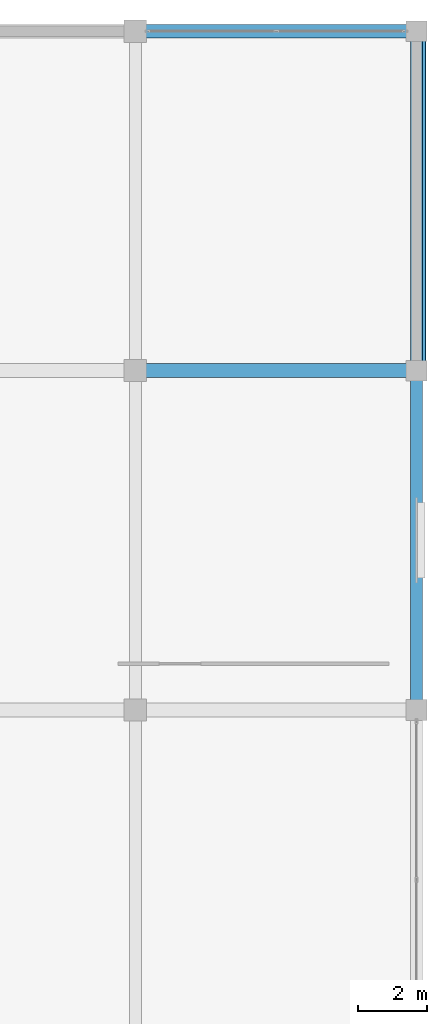
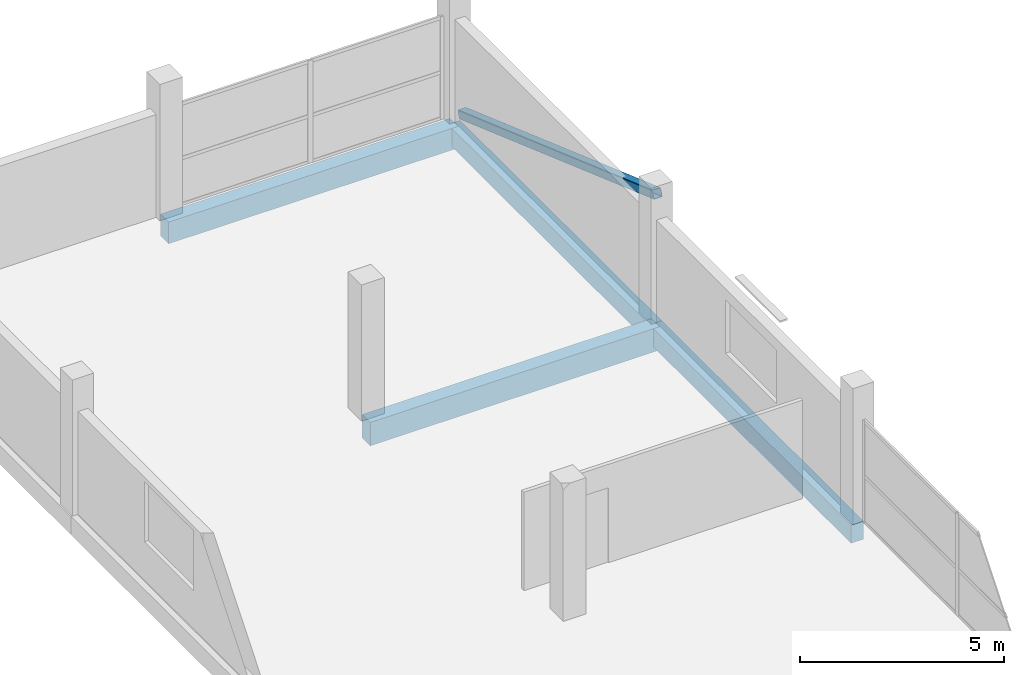
# One storey, part 50 of 70: 4 beams, 1 member.
"""IFC4 building model written with IfcOpenShell, lengths in metres."""

from ifc_helpers import new_model, si_unit, direction, frame, origin, origin_2d, place, context, subcontext, project, spatial, rectangle, hollow_rectangle, extrude, material, material_profile, profile_set, type_object, element, save


model = new_model("IFC4")

# Units and contexts
model_context = context("Model", 3, precision=1e-05, world=origin(), true_north=direction((0.0, 1.0)))
body_context = subcontext(model_context, "Body", "Model", "MODEL_VIEW")
ifc_project = project(units=[si_unit("LENGTHUNIT", "METRE"), si_unit("AREAUNIT", "SQUARE_METRE"), si_unit("VOLUMEUNIT", "CUBIC_METRE"), si_unit("PLANEANGLEUNIT", "RADIAN"), si_unit("MASSUNIT", "GRAM", prefix="KILO")], contexts=[model_context])

# Site, building, storey
site_placement = place(None, origin())
site = spatial("IfcSite", under=ifc_project, at=site_placement, CompositionType="ELEMENT")
building_placement = place(site_placement, origin())
building = spatial("IfcBuilding", under=site, at=building_placement, Name="Sillaruma Civic Art Gallery", CompositionType="ELEMENT")
storey_placement = place(building_placement, frame((0.0, 0.0, 66.300048828125)))
storey = spatial("IfcBuildingStorey", under=building, at=storey_placement, Name="L13", CompositionType="ELEMENT", Elevation=66.300048828125)

# Beams
ifc_material_1 = material(Name="Concrete H35 (35 MPa)", Category="concrete")
ifc_material_profile_1 = material_profile(ifc_material_1, rectangle(XDim=0.39990234375, YDim=0.699951171875, at=origin_2d()), Name="RCB400x700")
ifc_profile_set_1 = profile_set([ifc_material_profile_1], Name="Concrete H35 (35 MPa)")
beam_type_1 = type_object("IfcBeamType", Name="BM-BEAM-RCB400x700", PredefinedType="BEAM", material=ifc_profile_set_1)
beam_1_placement = place(storey_placement, frame((106.199951171875, 89.10009765625, -0.580078125), z_axis=(1.0, 0.0, 0.0), x_axis=(0.0, 1.0, 0.0)))
element("IfcBeam", 1, at=beam_1_placement, inside=storey, type_object=beam_type_1, Name="Beam BM-04 (L12:10:M-N)", PredefinedType="BEAM", context=body_context, shape_type="SweptSolid", body=[
    extrude(rectangle(XDim=0.39990234375, YDim=0.699951171875, at=origin_2d()), origin(), (0.0, 0.0, 1.0), 8.199951171875),
])
ifc_material_profile_2 = material_profile(ifc_material_1, rectangle(XDim=0.35009765625, YDim=0.550048828125, at=origin_2d()), Name="RCB350x550")
ifc_profile_set_2 = profile_set([ifc_material_profile_2], Name="Concrete H35 (35 MPa)")
beam_type_2 = type_object("IfcBeamType", Name="BM-SPANDREL-RCB350x550", PredefinedType="SPANDREL", material=ifc_profile_set_2)
beam_2_placement = place(storey_placement, frame((114.39990234375, 79.199951171875, -0.505126953125), z_axis=(0.0, 1.0, 0.0), x_axis=(-1.0, 0.0, 0.0)))
element("IfcBeam", 2, at=beam_2_placement, inside=storey, type_object=beam_type_2, Name="Beam BS-04 (L12:N:9-10)", PredefinedType="SPANDREL", context=body_context, shape_type="SweptSolid", body=[
    extrude(rectangle(XDim=0.35009765625, YDim=0.550048828125, at=origin_2d()), origin(), (0.0, 0.0, 1.0), 9.900146484375),
])
beam_3_placement = place(storey_placement, frame((114.39990234375, 89.10009765625, -0.505126953125), z_axis=(0.0, 1.0, 0.0), x_axis=(-1.0, 0.0, 0.0)))
element("IfcBeam", 3, at=beam_3_placement, inside=storey, type_object=beam_type_2, Name="Beam BS-04 (L12:N:10-11)", PredefinedType="SPANDREL", context=body_context, shape_type="SweptSolid", body=[
    extrude(rectangle(XDim=0.35009765625, YDim=0.550048828125, at=origin_2d()), origin(), (0.0, 0.0, 1.0), 9.89990234375),
])
ifc_material_profile_3 = material_profile(ifc_material_1, rectangle(XDim=0.39990234375, YDim=0.64990234375, at=origin_2d()), Name="RCB400x650")
ifc_profile_set_3 = profile_set([ifc_material_profile_3], Name="Concrete H35 (35 MPa)")
beam_type_3 = type_object("IfcBeamType", Name="BM-SPANDREL-RCB400x650", PredefinedType="SPANDREL", material=ifc_profile_set_3)
beam_4_placement = place(storey_placement, frame((106.199951171875, 99.0, -0.554931640625), z_axis=(1.0, 0.0, 0.0), x_axis=(0.0, 1.0, 0.0)))
element("IfcBeam", 4, at=beam_4_placement, inside=storey, type_object=beam_type_3, Name="Beam BS-02 (L12:11:M-N)", PredefinedType="SPANDREL", context=body_context, shape_type="SweptSolid", body=[
    extrude(rectangle(XDim=0.39990234375, YDim=0.64990234375, at=origin_2d()), origin(), (0.0, 0.0, 1.0), 8.199951171875),
])

# Member
ifc_material_2 = material(Name="Structural Steel ASTM A500 Gr.C", Category="steel")
ifc_material_profile_4 = material_profile(ifc_material_2, hollow_rectangle(XDim=0.25, YDim=0.25, WallThickness=0.012451171875, InnerFilletRadius=0.012451171875, OuterFilletRadius=0.02490234375, at=origin_2d()), Name="HSS250x250x12.5")
ifc_profile_set_4 = profile_set([ifc_material_profile_4], Name="Structural Steel ASTM A500 Gr.C")
member_type = type_object("IfcMemberType", Name="MEM-MEGA-BRACE", PredefinedType="BRACE", material=ifc_profile_set_4)
member_placement = place(storey_placement, frame((114.550048828125, 98.820068359375, 0.099853515625), z_axis=(0.0, -0.942584834579, 0.33396680916), x_axis=(1.0, 0.0, 0.0)))
element("IfcMember", 5, at=member_placement, inside=storey, type_object=member_type, Name="Exterior Expressed Gallery Seismic Diagonal Brace (L13-EN)", PredefinedType="BRACE", context=body_context, shape_type="SweptSolid", body=[
    extrude(hollow_rectangle(XDim=0.25, YDim=0.25, WallThickness=0.012451171875, InnerFilletRadius=0.012451171875, OuterFilletRadius=0.02490234375, at=origin_2d()), origin(), (0.0, 0.0, 1.0), 10.12109375),
])

save(model, "model.ifc")
